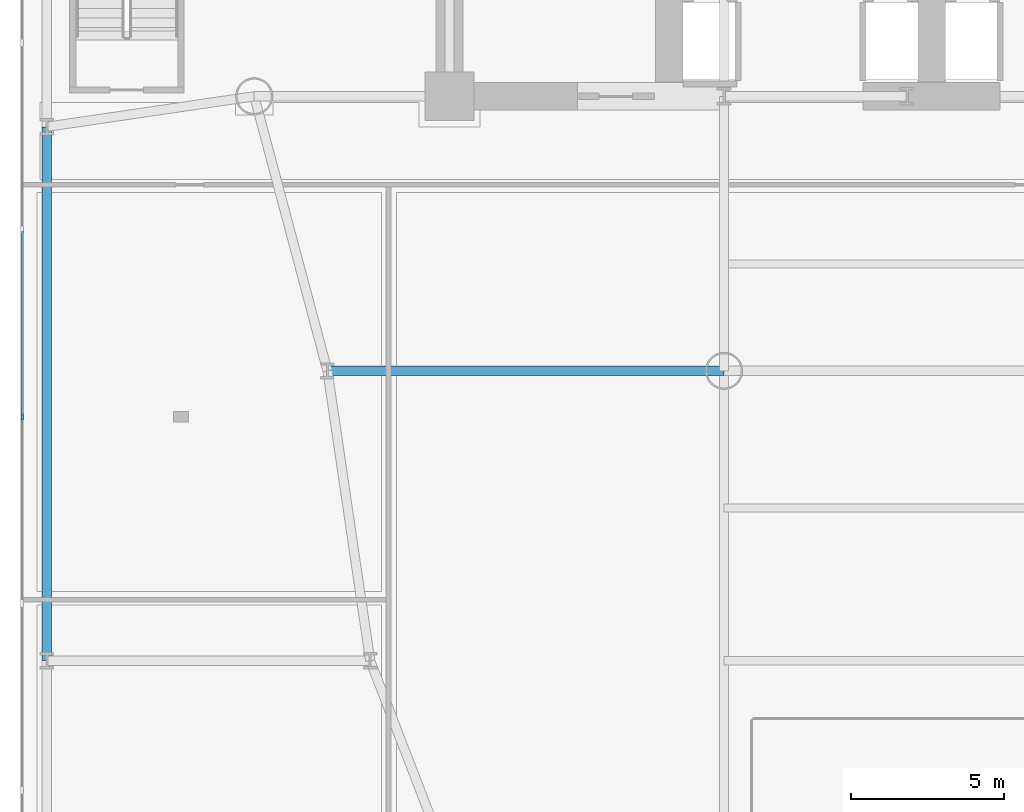
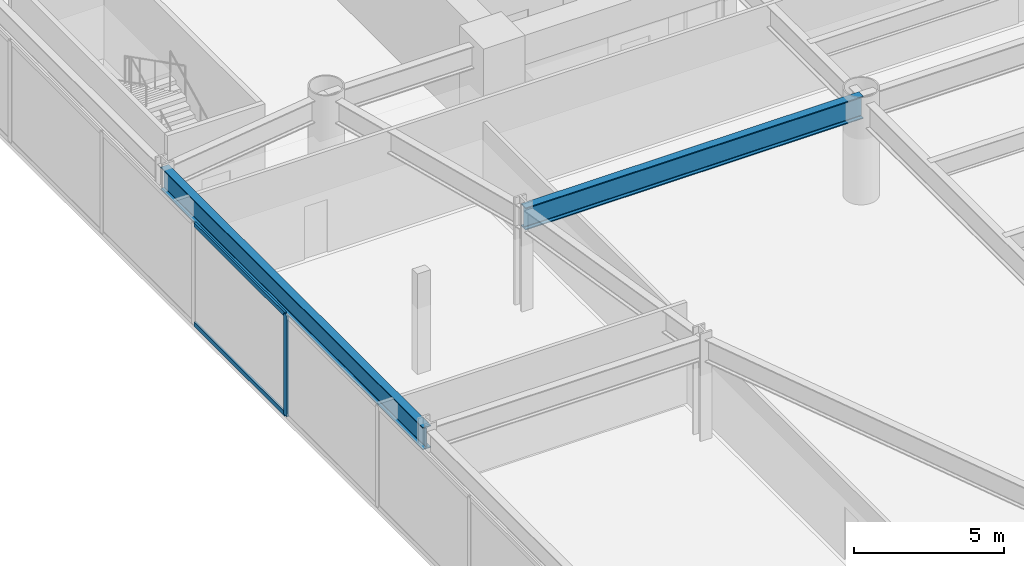
# One storey, part 3 of 24: 3 members, 2 beams, 1 element without a shape of its own.
"""IFC4 building model written with IfcOpenShell, lengths in metres."""

from ifc_helpers import new_model, si_unit, direction, frame, origin, origin_2d, place, context, subcontext, project, spatial, rectangle, i_section, extrude, source, transform, mapped, material, layer, layer_set, material_profile, profile_set, type_object, element, aggregate, save


model = new_model("IFC4")

# Units and contexts
model_context = context("Model", 3, precision=1e-05, world=origin(), true_north=direction((0.0, 1.0)))
body_context = subcontext(model_context, "Body", "Model", "MODEL_VIEW")
ifc_project = project(units=[si_unit("LENGTHUNIT", "METRE"), si_unit("AREAUNIT", "SQUARE_METRE"), si_unit("VOLUMEUNIT", "CUBIC_METRE"), si_unit("PLANEANGLEUNIT", "RADIAN"), si_unit("MASSUNIT", "GRAM", prefix="KILO")], contexts=[model_context])

# Site, building, storey
site_placement = place(None, origin())
site = spatial("IfcSite", under=ifc_project, at=site_placement, CompositionType="ELEMENT")
building_placement = place(site_placement, origin())
building = spatial("IfcBuilding", under=site, at=building_placement, Name="Vaeldorn Concourse Tower", CompositionType="ELEMENT")
storey_placement = place(building_placement, frame((0.0, 0.0, 5.60009765625)))
storey = spatial("IfcBuildingStorey", under=building, at=storey_placement, Name="L01", CompositionType="ELEMENT", Elevation=5.60009765625)

# Beams
ifc_material_1 = material(Name="Steel S355", Category="steel")
ifc_material_profile_1 = material_profile(ifc_material_1, i_section(OverallWidth=0.302001953125, OverallDepth=0.909912109375, WebThickness=0.02099609375, FlangeThickness=0.0400390625, FilletRadius=0.030029296875, at=origin_2d()), Name="HEM 900")
ifc_profile_set_1 = profile_set([ifc_material_profile_1], Name="Steel S355")
beam_type = type_object("IfcBeamType", Name="BM-PG-HEM900", PredefinedType="BEAM", material=ifc_profile_set_1)
shared_shape_1 = source(origin(), body_context, "Body", "SweptSolid", [
    extrude(i_section(OverallWidth=0.302001953125, OverallDepth=0.909912109375, WebThickness=0.02099609375, FlangeThickness=0.0400390625, FilletRadius=0.030029296875, at=origin_2d()), origin(), (0.0, 0.0, 1.0), 17.5),
])
beam_1_placement = place(storey_placement, frame((0.800048828125, 18.0, 3.664794921875), z_axis=(0.0, 1.0, 0.0), x_axis=(-1.0, 0.0, 0.0)))
element("IfcBeam", 1, at=beam_1_placement, inside=storey, type_object=beam_type, Name="Beam BM-L01-C-PW2-C-PW3", PredefinedType="BEAM", context=body_context, shape_type="MappedRepresentation", body=[
    mapped(shared_shape_1, transform((0.0, 0.0, 0.0), scale=1.0)),
])
shared_shape_2 = source(origin(), body_context, "Body", "SweptSolid", [
    extrude(i_section(OverallWidth=0.302001953125, OverallDepth=0.909912109375, WebThickness=0.02099609375, FlangeThickness=0.0400390625, FilletRadius=0.030029296875, at=origin_2d()), origin(), (0.0, 0.0, 1.0), 13.0),
])
beam_2_placement = place(storey_placement, frame((10.0, 27.5, 3.664794921875), z_axis=(1.0, 0.0, 0.0), x_axis=(0.0, 1.0, 0.0)))
element("IfcBeam", 2, at=beam_2_placement, inside=storey, type_object=beam_type, Name="Beam BM-L01-C-FLW1-C-TW1", PredefinedType="BEAM", context=body_context, shape_type="MappedRepresentation", body=[
    mapped(shared_shape_2, transform((0.0, 0.0, 0.0), scale=1.0)),
])

# Curtain wall, members
ifc_material_2 = material(Name="Anodised Bronze Aluminium", Category="aluminium")
ifc_layer = layer(ifc_material_2, 0.239990234375)
ifc_layer_set = layer_set([ifc_layer], Name="Anodised Bronze Aluminium")
curtain_wall_type = type_object("IfcCurtainWallType", Name="CW-SYS-04", PredefinedType="NOTDEFINED", material=ifc_layer_set)
curtain_wall_placement = place(storey_placement, origin())
curtain_wall = element("IfcCurtainWall", 3, at=curtain_wall_placement, inside=storey, type_object=curtain_wall_type, Name="Unitised Curtain Wall CW-L01-E07-1", PredefinedType="NOTDEFINED")
ifc_material_profile_2 = material_profile(ifc_material_2, rectangle(XDim=0.074951171875, YDim=0.219970703125, at=origin_2d()), Name="CWM 75x220")
ifc_profile_set_2 = profile_set([ifc_material_profile_2], Name="Anodised Bronze Aluminium")
member_type_1 = type_object("IfcMemberType", Name="CWM-BRONZE-220", PredefinedType="MULLION", material=ifc_profile_set_2)
shared_shape_3 = source(origin(), body_context, "Body", "SweptSolid", [
    extrude(rectangle(XDim=0.074951171875, YDim=0.219970703125, at=origin_2d()), origin(), (0.0, 0.0, 1.0), 4.119873046875),
])
member_1_placement = place(storey_placement, frame((0.0, 26.0, 0.0), z_axis=(0.0, 0.0, 1.0), x_axis=(1.0, 0.0, 0.0)))
member_1 = element("IfcMember", 4, at=member_1_placement, type_object=member_type_1, Name="CW-04 mullion 5", PredefinedType="MULLION", context=body_context, shape_type="MappedRepresentation", body=[
    mapped(shared_shape_3, transform((0.0, 0.0, 0.0), scale=1.0)),
])
ifc_material_profile_3 = material_profile(ifc_material_2, rectangle(XDim=0.074951171875, YDim=0.179931640625, at=origin_2d()), Name="CWT 75x180")
ifc_profile_set_3 = profile_set([ifc_material_profile_3], Name="Anodised Bronze Aluminium")
member_type_2 = type_object("IfcMemberType", Name="CWT-BRONZE-180", PredefinedType="USERDEFINED", material=ifc_profile_set_3)
shared_shape_4 = source(origin(), body_context, "Body", "SweptSolid", [
    extrude(rectangle(XDim=0.074951171875, YDim=0.179931640625, at=origin_2d()), origin(), (0.0, 0.0, 1.0), 6.0498046875),
])
member_2_placement = place(storey_placement, frame((0.0, 32.08740234375, 0.037353515625), z_axis=(0.0, -1.0, 0.0), x_axis=(1.0, 0.0, 0.0)))
member_2 = element("IfcMember", 5, at=member_2_placement, type_object=member_type_2, Name="CW-04 transom 4.1", ObjectType="TRANSOM", PredefinedType="USERDEFINED", context=body_context, shape_type="MappedRepresentation", body=[
    mapped(shared_shape_4, transform((0.0, 0.0, 0.0), scale=1.0)),
])
member_3_placement = place(storey_placement, frame((0.0, 32.08740234375, 4.08251953125), z_axis=(0.0, -1.0, 0.0), x_axis=(1.0, 0.0, 0.0)))
member_3 = element("IfcMember", 6, at=member_3_placement, type_object=member_type_2, Name="CW-04 transom 4.2", ObjectType="TRANSOM", PredefinedType="USERDEFINED", context=body_context, shape_type="MappedRepresentation", body=[
    mapped(shared_shape_4, transform((0.0, 0.0, 0.0), scale=1.0)),
])
aggregate(curtain_wall, [member_1, member_2, member_3])

save(model, "model.ifc")
